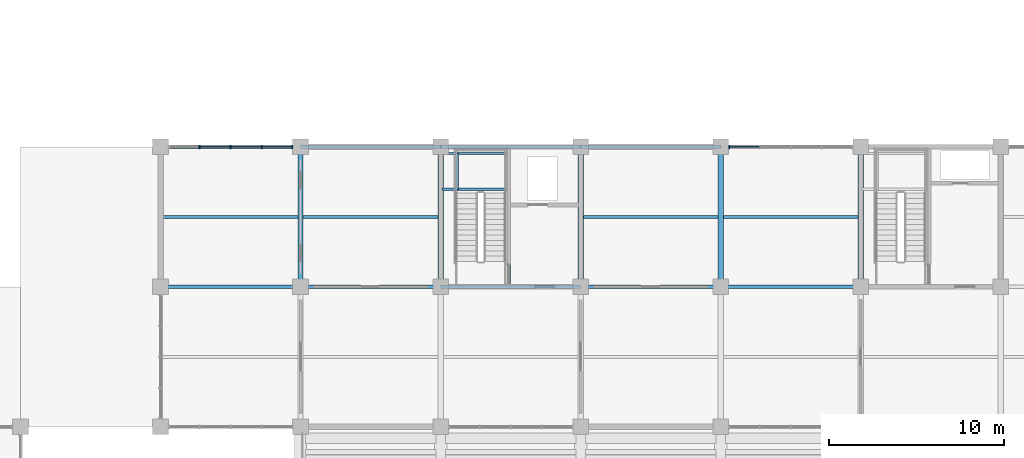
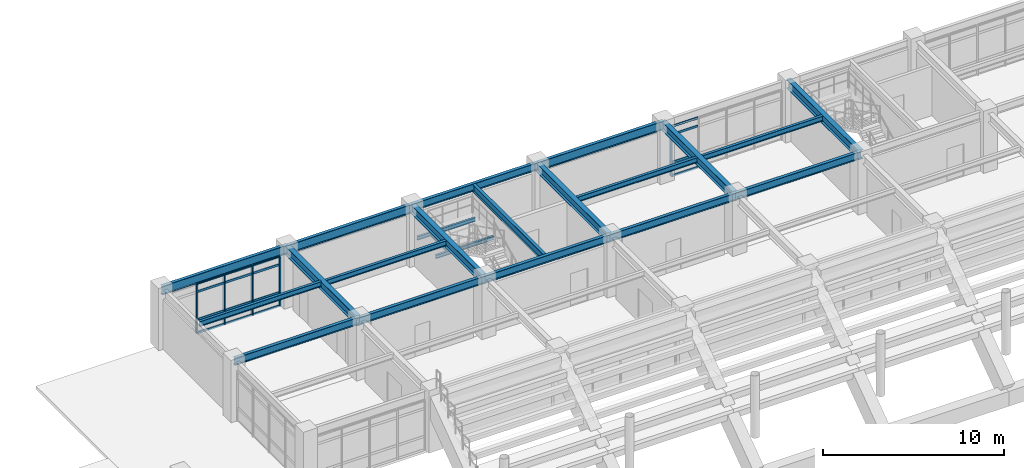
# One storey, part 56 of 118: 22 beams, 21 members, 2 elements without a shape of their own.
"""IFC4 building model written with IfcOpenShell, lengths in metres."""

from ifc_helpers import new_model, si_unit, direction, frame, origin, origin_2d, place, context, subcontext, project, spatial, rectangle, i_section, extrude, material, layer, layer_set, material_profile, profile_set, type_object, element, aggregate, save


model = new_model("IFC4")

# Units and contexts
model_context = context("Model", 3, precision=1e-05, world=origin(), true_north=direction((0.0, 1.0)))
body_context = subcontext(model_context, "Body", "Model", "MODEL_VIEW")
ifc_project = project(units=[si_unit("LENGTHUNIT", "METRE"), si_unit("AREAUNIT", "SQUARE_METRE"), si_unit("VOLUMEUNIT", "CUBIC_METRE"), si_unit("PLANEANGLEUNIT", "RADIAN"), si_unit("MASSUNIT", "GRAM", prefix="KILO")], contexts=[model_context])

# Site, building, storey
site_placement = place(None, origin())
site = spatial("IfcSite", under=ifc_project, at=site_placement, CompositionType="ELEMENT")
building_placement = place(site_placement, origin())
building = spatial("IfcBuilding", under=site, at=building_placement, Name="Haebicheon Civic Stadium", CompositionType="ELEMENT")
storey_placement = place(building_placement, frame((0.0, 0.0, 14.39990234375)))
storey = spatial("IfcBuildingStorey", under=building, at=storey_placement, Name="L04", CompositionType="ELEMENT", Elevation=14.39990234375)

# Beams
ifc_material_1 = material(Name="Steel SM355 (S355)", Category="steel")
ifc_material_profile_1 = material_profile(ifc_material_1, i_section(OverallWidth=0.199951171875, OverallDepth=0.5, WebThickness=0.010009765625, FlangeThickness=0.01611328125, at=origin_2d()), Name="H-500x200x10x16")
ifc_profile_set_1 = profile_set([ifc_material_profile_1], Name="Steel SM355 (S355)")
beam_type_1 = type_object("IfcBeamType", Name="BM-ST-H500", PredefinedType="BEAM", material=ifc_profile_set_1)
for number, where, z_axis, x_axis, name in (
    (1, (72.0, 160.0, 3.72998046875), (1.0, 0.0, 0.0), (0.0, 1.0, 0.0), "L04 beam W/10-11"),
    (2, (80.0, 160.0, 3.690185546875), (1.0, 0.0, 0.0), (0.0, 1.0, 0.0), "L04 beam W/11-12"),
    (3, (88.0, 160.0, 3.690185546875), (1.0, 0.0, 0.0), (0.0, 1.0, 0.0), "L04 beam W/12-13"),
    (4, (88.0, 168.0, 3.690185546875), (1.0, 0.0, 0.0), (0.0, 1.0, 0.0), "L04 beam X/12-13"),
    (5, (96.0, 160.0, 3.690185546875), (1.0, 0.0, 0.0), (0.0, 1.0, 0.0), "L04 beam W/13-14"),
    (6, (104.0, 160.0, 3.690185546875), (1.0, 0.0, 0.0), (0.0, 1.0, 0.0), "L04 beam W/14-15"),
):
    element("IfcBeam", number, at=place(storey_placement, frame(where, z_axis=z_axis, x_axis=x_axis)), inside=storey, type_object=beam_type_1, material=ifc_profile_set_1, Name=name, PredefinedType="BEAM", context=body_context, shape_type="SweptSolid", body=[
        extrude(i_section(OverallWidth=0.199951171875, OverallDepth=0.5, WebThickness=0.010009765625, FlangeThickness=0.01611328125, at=origin_2d()), origin(), (0.0, 0.0, 1.0), 8.0),
    ])
beam_1_placement = place(storey_placement, frame((91.8798828125, 160.10009765625, 3.690185546875), z_axis=(0.0, 1.0, 0.0), x_axis=(-1.0, 0.0, 0.0)))
element("IfcBeam", 7, at=beam_1_placement, inside=storey, type_object=beam_type_1, material=ifc_profile_set_1, Name="L04 KC-08 core dividing wall support beam", PredefinedType="BEAM", context=body_context, shape_type="SweptSolid", body=[
    extrude(i_section(OverallWidth=0.199951171875, OverallDepth=0.5, WebThickness=0.010009765625, FlangeThickness=0.01611328125, at=origin_2d()), origin(), (0.0, 0.0, 1.0), 7.7998046875),
])
ifc_material_2 = material(Name="Steel SM355 (S355)", Category="steel")
ifc_material_profile_2 = material_profile(ifc_material_2, i_section(OverallWidth=0.300048828125, OverallDepth=0.60009765625, WebThickness=0.011962890625, FlangeThickness=0.02001953125, at=origin_2d()), Name="H-600x300x12x20")
ifc_profile_set_2 = profile_set([ifc_material_profile_2], Name="Steel SM355 (S355)")
beam_type_2 = type_object("IfcBeamType", Name="BM-ST-H600A", PredefinedType="BEAM", material=ifc_profile_set_2)
for number, where, z_axis, x_axis, name in (
    (8, (80.0, 160.0, 3.64013671875), (0.0, 1.0, 0.0), (-1.0, 0.0, 0.0), "L04 girder 11/W-X"),
    (9, (88.0, 160.0, 3.64013671875), (0.0, 1.0, 0.0), (-1.0, 0.0, 0.0), "L04 girder 12/W-X"),
    (10, (96.0, 160.0, 3.64013671875), (0.0, 1.0, 0.0), (-1.0, 0.0, 0.0), "L04 girder 13/W-X"),
    (11, (104.0, 160.0, 3.64013671875), (0.0, 1.0, 0.0), (-1.0, 0.0, 0.0), "L04 girder 14/W-X"),
    (12, (112.0, 160.0, 3.64013671875), (0.0, 1.0, 0.0), (-1.0, 0.0, 0.0), "L04 girder 15/W-X"),
):
    element("IfcBeam", number, at=place(storey_placement, frame(where, z_axis=z_axis, x_axis=x_axis)), inside=storey, type_object=beam_type_2, material=ifc_profile_set_2, Name=name, PredefinedType="BEAM", context=body_context, shape_type="SweptSolid", body=[
        extrude(i_section(OverallWidth=0.300048828125, OverallDepth=0.60009765625, WebThickness=0.011962890625, FlangeThickness=0.02001953125, at=origin_2d()), origin(), (0.0, 0.0, 1.0), 8.0),
    ])

# Curtain wall, members
ifc_material_3 = material(Name="Anodised aluminium and laminated glass", Category="aluminium")
ifc_layer = layer(ifc_material_3, 0.179931640625, Name="Anodised aluminium and laminated glass")
ifc_layer_set = layer_set([ifc_layer], Name="Anodised aluminium and laminated glass")
curtain_wall_type = type_object("IfcCurtainWallType", Name="CW-7100x3330", PredefinedType="NOTDEFINED", material=ifc_layer_set)
curtain_wall_1_placement = place(storey_placement, origin())
curtain_wall_1 = element("IfcCurtainWall", 13, at=curtain_wall_1_placement, inside=storey, type_object=curtain_wall_type, material=ifc_layer_set, Name="L04 unitised curtain wall 128", PredefinedType="NOTDEFINED")
ifc_material_4 = material(Name="Anodised aluminium 6063-T6", Category="aluminium")
ifc_material_profile_3 = material_profile(ifc_material_4, rectangle(XDim=0.070068359375, YDim=0.199951171875, at=origin_2d()), Name="ALU-MULL-70x200")
ifc_profile_set_3 = profile_set([ifc_material_profile_3], Name="Anodised aluminium 6063-T6")
member_type_1 = type_object("IfcMemberType", Name="CWM-200x70", PredefinedType="MULLION", material=ifc_profile_set_3)
member_1_placement = place(storey_placement, frame((74.22509765625, 168.0, 0.0), z_axis=(0.0, 0.0, 1.0), x_axis=(1.0, 0.0, 0.0)))
member_1 = element("IfcMember", 14, at=member_1_placement, type_object=member_type_1, material=ifc_profile_set_3, Name="CW-L04-128 vertical mullion 2", PredefinedType="MULLION", context=body_context, shape_type="SweptSolid", body=[
    extrude(rectangle(XDim=0.070068359375, YDim=0.199951171875, at=origin_2d()), origin(), (0.0, 0.0, 1.0), 3.330078125),
])
member_2_placement = place(storey_placement, frame((76.0, 168.0, 0.0), z_axis=(0.0, 0.0, 1.0), x_axis=(1.0, 0.0, 0.0)))
member_2 = element("IfcMember", 15, at=member_2_placement, type_object=member_type_1, material=ifc_profile_set_3, Name="CW-L04-128 vertical mullion 3", PredefinedType="MULLION", context=body_context, shape_type="SweptSolid", body=[
    extrude(rectangle(XDim=0.070068359375, YDim=0.199951171875, at=origin_2d()), origin(), (0.0, 0.0, 1.0), 3.330078125),
])
member_3_placement = place(storey_placement, frame((77.77490234375, 168.0, 0.0), z_axis=(0.0, 0.0, 1.0), x_axis=(1.0, 0.0, 0.0)))
member_3 = element("IfcMember", 16, at=member_3_placement, type_object=member_type_1, material=ifc_profile_set_3, Name="CW-L04-128 vertical mullion 4", PredefinedType="MULLION", context=body_context, shape_type="SweptSolid", body=[
    extrude(rectangle(XDim=0.070068359375, YDim=0.199951171875, at=origin_2d()), origin(), (0.0, 0.0, 1.0), 3.330078125),
])
member_4_placement = place(storey_placement, frame((79.514892578125, 168.0, 0.0), z_axis=(0.0, 0.0, 1.0), x_axis=(1.0, 0.0, 0.0)))
member_4 = element("IfcMember", 17, at=member_4_placement, type_object=member_type_1, material=ifc_profile_set_3, Name="CW-L04-128 vertical mullion 5", PredefinedType="MULLION", context=body_context, shape_type="SweptSolid", body=[
    extrude(rectangle(XDim=0.070068359375, YDim=0.199951171875, at=origin_2d()), origin(), (0.0, 0.0, 1.0), 3.330078125),
])

# Curtain wall, member
curtain_wall_2_placement = place(storey_placement, origin())
curtain_wall_2 = element("IfcCurtainWall", 18, at=curtain_wall_2_placement, inside=storey, type_object=curtain_wall_type, material=ifc_layer_set, Name="L04 unitised curtain wall 135", PredefinedType="NOTDEFINED")
member_5_placement = place(storey_placement, frame((104.485107421875, 168.0, 0.0), z_axis=(0.0, 0.0, 1.0), x_axis=(1.0, 0.0, 0.0)))
member_5 = element("IfcMember", 19, at=member_5_placement, type_object=member_type_1, material=ifc_profile_set_3, Name="CW-L04-135 vertical mullion 1", PredefinedType="MULLION", context=body_context, shape_type="SweptSolid", body=[
    extrude(rectangle(XDim=0.070068359375, YDim=0.199951171875, at=origin_2d()), origin(), (0.0, 0.0, 1.0), 3.330078125),
])

# Member
ifc_material_5 = material(Name="Anodised aluminium 6063-T6", Category="aluminium")
ifc_material_profile_4 = material_profile(ifc_material_5, rectangle(XDim=0.070068359375, YDim=0.14990234375, at=origin_2d()), Name="ALU-TRAN-70x150")
ifc_profile_set_4 = profile_set([ifc_material_profile_4], Name="Anodised aluminium 6063-T6")
member_type_2 = type_object("IfcMemberType", Name="CWT-150x70", PredefinedType="NOTDEFINED", material=ifc_profile_set_4)
member_6_placement = place(storey_placement, frame((74.260009765625, 168.0, 0.0), z_axis=(1.0, 0.0, 0.0), x_axis=(0.0, 1.0, 0.0)))
member_6 = element("IfcMember", 20, at=member_6_placement, type_object=member_type_2, material=ifc_profile_set_4, Name="CW-L04-128 horizontal transom 2.1", ObjectType="TRANSOM", PredefinedType="USERDEFINED", context=body_context, shape_type="SweptSolid", body=[
    extrude(rectangle(XDim=0.070068359375, YDim=0.14990234375, at=origin_2d()), origin(), (0.0, 0.0, 1.0), 1.705078125),
])

member_7_placement = place(storey_placement, frame((74.260009765625, 168.0, 0.900146484375), z_axis=(1.0, 0.0, 0.0), x_axis=(0.0, 1.0, 0.0)))
member_7 = element("IfcMember", 21, at=member_7_placement, type_object=member_type_2, material=ifc_profile_set_4, Name="CW-L04-128 horizontal transom 2.2", ObjectType="TRANSOM", PredefinedType="USERDEFINED", context=body_context, shape_type="SweptSolid", body=[
    extrude(rectangle(XDim=0.070068359375, YDim=0.14990234375, at=origin_2d()), origin(), (0.0, 0.0, 1.0), 1.705078125),
])

member_8_placement = place(storey_placement, frame((74.260009765625, 168.0, 2.780029296875), z_axis=(1.0, 0.0, 0.0), x_axis=(0.0, 1.0, 0.0)))
member_8 = element("IfcMember", 22, at=member_8_placement, type_object=member_type_2, material=ifc_profile_set_4, Name="CW-L04-128 horizontal transom 2.3", ObjectType="TRANSOM", PredefinedType="USERDEFINED", context=body_context, shape_type="SweptSolid", body=[
    extrude(rectangle(XDim=0.070068359375, YDim=0.14990234375, at=origin_2d()), origin(), (0.0, 0.0, 1.0), 1.705078125),
])

member_9_placement = place(storey_placement, frame((74.260009765625, 168.0, 3.330078125), z_axis=(1.0, 0.0, 0.0), x_axis=(0.0, 1.0, 0.0)))
member_9 = element("IfcMember", 23, at=member_9_placement, type_object=member_type_2, material=ifc_profile_set_4, Name="CW-L04-128 horizontal transom 2.4", ObjectType="TRANSOM", PredefinedType="USERDEFINED", context=body_context, shape_type="SweptSolid", body=[
    extrude(rectangle(XDim=0.070068359375, YDim=0.14990234375, at=origin_2d()), origin(), (0.0, 0.0, 1.0), 1.705078125),
])

member_10_placement = place(storey_placement, frame((76.034912109375, 168.0, 0.0), z_axis=(1.0, 0.0, 0.0), x_axis=(0.0, 1.0, 0.0)))
member_10 = element("IfcMember", 24, at=member_10_placement, type_object=member_type_2, material=ifc_profile_set_4, Name="CW-L04-128 horizontal transom 3.1", ObjectType="TRANSOM", PredefinedType="USERDEFINED", context=body_context, shape_type="SweptSolid", body=[
    extrude(rectangle(XDim=0.070068359375, YDim=0.14990234375, at=origin_2d()), origin(), (0.0, 0.0, 1.0), 1.705078125),
])

member_11_placement = place(storey_placement, frame((76.034912109375, 168.0, 0.900146484375), z_axis=(1.0, 0.0, 0.0), x_axis=(0.0, 1.0, 0.0)))
member_11 = element("IfcMember", 25, at=member_11_placement, type_object=member_type_2, material=ifc_profile_set_4, Name="CW-L04-128 horizontal transom 3.2", ObjectType="TRANSOM", PredefinedType="USERDEFINED", context=body_context, shape_type="SweptSolid", body=[
    extrude(rectangle(XDim=0.070068359375, YDim=0.14990234375, at=origin_2d()), origin(), (0.0, 0.0, 1.0), 1.705078125),
])

member_12_placement = place(storey_placement, frame((76.034912109375, 168.0, 2.780029296875), z_axis=(1.0, 0.0, 0.0), x_axis=(0.0, 1.0, 0.0)))
member_12 = element("IfcMember", 26, at=member_12_placement, type_object=member_type_2, material=ifc_profile_set_4, Name="CW-L04-128 horizontal transom 3.3", ObjectType="TRANSOM", PredefinedType="USERDEFINED", context=body_context, shape_type="SweptSolid", body=[
    extrude(rectangle(XDim=0.070068359375, YDim=0.14990234375, at=origin_2d()), origin(), (0.0, 0.0, 1.0), 1.705078125),
])

member_13_placement = place(storey_placement, frame((76.034912109375, 168.0, 3.330078125), z_axis=(1.0, 0.0, 0.0), x_axis=(0.0, 1.0, 0.0)))
member_13 = element("IfcMember", 27, at=member_13_placement, type_object=member_type_2, material=ifc_profile_set_4, Name="CW-L04-128 horizontal transom 3.4", ObjectType="TRANSOM", PredefinedType="USERDEFINED", context=body_context, shape_type="SweptSolid", body=[
    extrude(rectangle(XDim=0.070068359375, YDim=0.14990234375, at=origin_2d()), origin(), (0.0, 0.0, 1.0), 1.705078125),
])

member_14_placement = place(storey_placement, frame((77.81005859375, 168.0, 0.0), z_axis=(1.0, 0.0, 0.0), x_axis=(0.0, 1.0, 0.0)))
member_14 = element("IfcMember", 28, at=member_14_placement, type_object=member_type_2, material=ifc_profile_set_4, Name="CW-L04-128 horizontal transom 4.1", ObjectType="TRANSOM", PredefinedType="USERDEFINED", context=body_context, shape_type="SweptSolid", body=[
    extrude(rectangle(XDim=0.070068359375, YDim=0.14990234375, at=origin_2d()), origin(), (0.0, 0.0, 1.0), 1.669921875),
])

member_15_placement = place(storey_placement, frame((77.81005859375, 168.0, 0.900146484375), z_axis=(1.0, 0.0, 0.0), x_axis=(0.0, 1.0, 0.0)))
member_15 = element("IfcMember", 29, at=member_15_placement, type_object=member_type_2, material=ifc_profile_set_4, Name="CW-L04-128 horizontal transom 4.2", ObjectType="TRANSOM", PredefinedType="USERDEFINED", context=body_context, shape_type="SweptSolid", body=[
    extrude(rectangle(XDim=0.070068359375, YDim=0.14990234375, at=origin_2d()), origin(), (0.0, 0.0, 1.0), 1.669921875),
])

member_16_placement = place(storey_placement, frame((77.81005859375, 168.0, 2.780029296875), z_axis=(1.0, 0.0, 0.0), x_axis=(0.0, 1.0, 0.0)))
member_16 = element("IfcMember", 30, at=member_16_placement, type_object=member_type_2, material=ifc_profile_set_4, Name="CW-L04-128 horizontal transom 4.3", ObjectType="TRANSOM", PredefinedType="USERDEFINED", context=body_context, shape_type="SweptSolid", body=[
    extrude(rectangle(XDim=0.070068359375, YDim=0.14990234375, at=origin_2d()), origin(), (0.0, 0.0, 1.0), 1.669921875),
])

member_17_placement = place(storey_placement, frame((77.81005859375, 168.0, 3.330078125), z_axis=(1.0, 0.0, 0.0), x_axis=(0.0, 1.0, 0.0)))
member_17 = element("IfcMember", 31, at=member_17_placement, type_object=member_type_2, material=ifc_profile_set_4, Name="CW-L04-128 horizontal transom 4.4", ObjectType="TRANSOM", PredefinedType="USERDEFINED", context=body_context, shape_type="SweptSolid", body=[
    extrude(rectangle(XDim=0.070068359375, YDim=0.14990234375, at=origin_2d()), origin(), (0.0, 0.0, 1.0), 1.669921875),
])

aggregate(curtain_wall_1, [member_1, member_2, member_3, member_4, member_6, member_7, member_8, member_9, member_10, member_11, member_12, member_13, member_14, member_15, member_16, member_17])

member_18_placement = place(storey_placement, frame((104.52001953125, 168.0, 0.0), z_axis=(1.0, 0.0, 0.0), x_axis=(0.0, 1.0, 0.0)))
member_18 = element("IfcMember", 32, at=member_18_placement, type_object=member_type_2, material=ifc_profile_set_4, Name="CW-L04-135 horizontal transom 1.1", ObjectType="TRANSOM", PredefinedType="USERDEFINED", context=body_context, shape_type="SweptSolid", body=[
    extrude(rectangle(XDim=0.070068359375, YDim=0.14990234375, at=origin_2d()), origin(), (0.0, 0.0, 1.0), 1.669921875),
])

member_19_placement = place(storey_placement, frame((104.52001953125, 168.0, 0.900146484375), z_axis=(1.0, 0.0, 0.0), x_axis=(0.0, 1.0, 0.0)))
member_19 = element("IfcMember", 33, at=member_19_placement, type_object=member_type_2, material=ifc_profile_set_4, Name="CW-L04-135 horizontal transom 1.2", ObjectType="TRANSOM", PredefinedType="USERDEFINED", context=body_context, shape_type="SweptSolid", body=[
    extrude(rectangle(XDim=0.070068359375, YDim=0.14990234375, at=origin_2d()), origin(), (0.0, 0.0, 1.0), 1.669921875),
])

member_20_placement = place(storey_placement, frame((104.52001953125, 168.0, 2.780029296875), z_axis=(1.0, 0.0, 0.0), x_axis=(0.0, 1.0, 0.0)))
member_20 = element("IfcMember", 34, at=member_20_placement, type_object=member_type_2, material=ifc_profile_set_4, Name="CW-L04-135 horizontal transom 1.3", ObjectType="TRANSOM", PredefinedType="USERDEFINED", context=body_context, shape_type="SweptSolid", body=[
    extrude(rectangle(XDim=0.070068359375, YDim=0.14990234375, at=origin_2d()), origin(), (0.0, 0.0, 1.0), 1.669921875),
])

member_21_placement = place(storey_placement, frame((104.52001953125, 168.0, 3.330078125), z_axis=(1.0, 0.0, 0.0), x_axis=(0.0, 1.0, 0.0)))
member_21 = element("IfcMember", 35, at=member_21_placement, type_object=member_type_2, material=ifc_profile_set_4, Name="CW-L04-135 horizontal transom 1.4", ObjectType="TRANSOM", PredefinedType="USERDEFINED", context=body_context, shape_type="SweptSolid", body=[
    extrude(rectangle(XDim=0.070068359375, YDim=0.14990234375, at=origin_2d()), origin(), (0.0, 0.0, 1.0), 1.669921875),
])

aggregate(curtain_wall_2, [member_5, member_18, member_19, member_20, member_21])

# Beams
ifc_material_6 = material(Name="Steel SM355 (S355)", Category="steel")
ifc_material_profile_5 = material_profile(ifc_material_6, i_section(OverallWidth=0.125, OverallDepth=0.25, WebThickness=0.006103515625, FlangeThickness=0.009033203125, at=origin_2d()), Name="H-250x125x6x9")
ifc_profile_set_5 = profile_set([ifc_material_profile_5], Name="Steel SM355 (S355)")
beam_type_3 = type_object("IfcBeamType", Name="JST-ST-H250", PredefinedType="JOIST", material=ifc_profile_set_5)
for number, where, z_axis, x_axis, name in (
    (36, (88.080078125, 165.570068359375, 1.772216796875), (1.0, 0.0, 0.0), (0.0, 1.0, 0.0), "KC-08 L04 stair half-landing front trimmer beam"),
    (37, (88.080078125, 167.6201171875, 1.772216796875), (1.0, 0.0, 0.0), (0.0, 1.0, 0.0), "KC-08 L04 stair half-landing rear trimmer beam"),
):
    element("IfcBeam", number, at=place(storey_placement, frame(where, z_axis=z_axis, x_axis=x_axis)), inside=storey, type_object=beam_type_3, material=ifc_profile_set_5, Name=name, PredefinedType="JOIST", context=body_context, shape_type="SweptSolid", body=[
        extrude(i_section(OverallWidth=0.125, OverallDepth=0.25, WebThickness=0.006103515625, FlangeThickness=0.009033203125, at=origin_2d()), origin(), (0.0, 0.0, 1.0), 3.719970703125),
    ])
beam_2_placement = place(storey_placement, frame((88.9599609375, 165.570068359375, 1.772216796875), z_axis=(0.0, 1.0, 0.0), x_axis=(-1.0, 0.0, 0.0)))
element("IfcBeam", 38, at=beam_2_placement, inside=storey, type_object=beam_type_3, material=ifc_profile_set_5, Name="KC-08 L04 stair half-landing transverse tie beam", PredefinedType="JOIST", context=body_context, shape_type="SweptSolid", body=[
    extrude(i_section(OverallWidth=0.125, OverallDepth=0.25, WebThickness=0.006103515625, FlangeThickness=0.009033203125, at=origin_2d()), origin(), (0.0, 0.0, 1.0), 2.050048828125),
])
ifc_material_7 = material(Name="Steel SM355 (S355)", Category="steel")
ifc_material_profile_6 = material_profile(ifc_material_7, i_section(OverallWidth=0.175048828125, OverallDepth=0.35009765625, WebThickness=0.007080078125, FlangeThickness=0.010986328125, at=origin_2d()), Name="H-350x175x7x11")
ifc_profile_set_6 = profile_set([ifc_material_profile_6], Name="Steel SM355 (S355)")
beam_type_4 = type_object("IfcBeamType", Name="JST-ST-H350", PredefinedType="JOIST", material=ifc_profile_set_6)
beam_3_placement = place(storey_placement, frame((72.10009765625, 164.0, 3.80517578125), z_axis=(1.0, 0.0, 0.0), x_axis=(0.0, 1.0, 0.0)))
element("IfcBeam", 39, at=beam_3_placement, inside=storey, type_object=beam_type_4, material=ifc_profile_set_6, Name="L04 secondary joist 09-20", PredefinedType="JOIST", context=body_context, shape_type="SweptSolid", body=[
    extrude(i_section(OverallWidth=0.175048828125, OverallDepth=0.35009765625, WebThickness=0.007080078125, FlangeThickness=0.010986328125, at=origin_2d()), origin(), (0.0, 0.0, 1.0), 7.75),
])
for number, where, z_axis, x_axis, name in (
    (40, (80.14990234375, 164.0, 3.76513671875), (1.0, 0.0, 0.0), (0.0, 1.0, 0.0), "L04 secondary joist 10-20"),
    (41, (96.14990234375, 164.0, 3.76513671875), (1.0, 0.0, 0.0), (0.0, 1.0, 0.0), "L04 secondary joist 12-20"),
    (42, (104.14990234375, 164.0, 3.76513671875), (1.0, 0.0, 0.0), (0.0, 1.0, 0.0), "L04 secondary joist 13-20"),
):
    element("IfcBeam", number, at=place(storey_placement, frame(where, z_axis=z_axis, x_axis=x_axis)), inside=storey, type_object=beam_type_4, material=ifc_profile_set_6, Name=name, PredefinedType="JOIST", context=body_context, shape_type="SweptSolid", body=[
        extrude(i_section(OverallWidth=0.175048828125, OverallDepth=0.35009765625, WebThickness=0.007080078125, FlangeThickness=0.010986328125, at=origin_2d()), origin(), (0.0, 0.0, 1.0), 7.7001953125),
    ])
ifc_material_8 = material(Name="Steel SM355 (S355)", Category="steel")
ifc_material_profile_7 = material_profile(ifc_material_8, i_section(OverallWidth=0.199951171875, OverallDepth=0.60009765625, WebThickness=0.010986328125, FlangeThickness=0.01708984375, at=origin_2d()), Name="H-600x200x11x17")
ifc_profile_set_7 = profile_set([ifc_material_profile_7], Name="Steel SM355 (S355)")
beam_type_5 = type_object("IfcBeamType", Name="SPD-ST-H600B", PredefinedType="SPANDREL", material=ifc_profile_set_7)
for number, where, z_axis, x_axis, name in (
    (43, (72.0, 168.0, 3.68017578125), (1.0, 0.0, 0.0), (0.0, 1.0, 0.0), "L04 beam X/10-11"),
    (44, (80.0, 168.0, 3.64013671875), (1.0, 0.0, 0.0), (0.0, 1.0, 0.0), "L04 beam X/11-12"),
    (45, (96.0, 168.0, 3.64013671875), (1.0, 0.0, 0.0), (0.0, 1.0, 0.0), "L04 beam X/13-14"),
):
    element("IfcBeam", number, at=place(storey_placement, frame(where, z_axis=z_axis, x_axis=x_axis)), inside=storey, type_object=beam_type_5, material=ifc_profile_set_7, Name=name, PredefinedType="SPANDREL", context=body_context, shape_type="SweptSolid", body=[
        extrude(i_section(OverallWidth=0.199951171875, OverallDepth=0.60009765625, WebThickness=0.010986328125, FlangeThickness=0.01708984375, at=origin_2d()), origin(), (0.0, 0.0, 1.0), 8.0),
    ])

save(model, "model.ifc")
